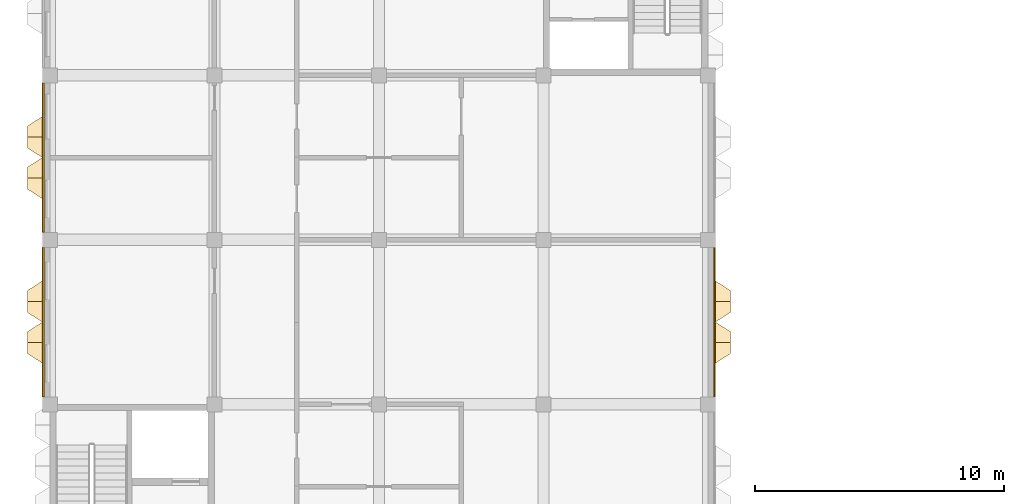
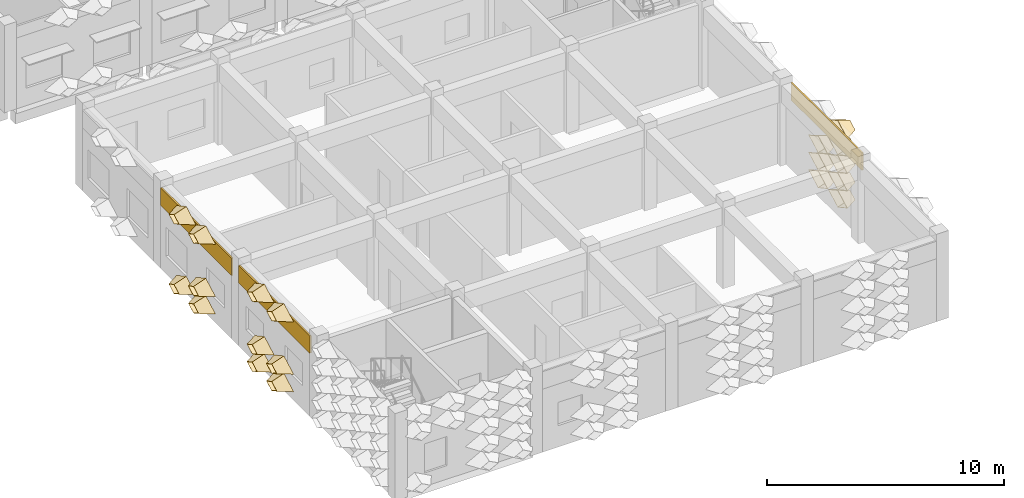
# One storey, part 66 of 87: 22 coverings.
"""IFC4 building model written with IfcOpenShell, lengths in metres."""

from ifc_helpers import new_model, entity, si_unit, direction, frame, frame_2d, origin, place, context, subcontext, project, spatial, rectangle, extrude, material, layer, layer_set, type_object, element, save


model = new_model("IFC4")

# Units and contexts
model_context = context("Model", 3, precision=1e-05, world=origin(), true_north=direction((0.0, 1.0)))
body_context = subcontext(model_context, "Body", "Model", "MODEL_VIEW")
ifc_project = project(units=[si_unit("LENGTHUNIT", "METRE"), si_unit("AREAUNIT", "SQUARE_METRE"), si_unit("VOLUMEUNIT", "CUBIC_METRE"), si_unit("PLANEANGLEUNIT", "RADIAN"), si_unit("MASSUNIT", "GRAM", prefix="KILO")], contexts=[model_context])

# Site, building, storey
site_placement = place(None, origin())
site = spatial("IfcSite", under=ifc_project, at=site_placement, CompositionType="ELEMENT")
building_placement = place(site_placement, origin())
building = spatial("IfcBuilding", under=site, at=building_placement, Name="Lantern Court Research Institute", CompositionType="ELEMENT")
storey_placement = place(building_placement, frame((0.0, 0.0, 5.39990234375)))
storey = spatial("IfcBuildingStorey", under=building, at=storey_placement, Name="L01", CompositionType="ELEMENT", Elevation=5.39990234375)

# Coverings
ifc_material_1 = material(Name="Aluminium composite panel with mineral wool insulation", Category="aluminium")
ifc_layer_1 = layer(ifc_material_1, 0.074951171875)
ifc_layer_set_1 = layer_set([ifc_layer_1], Name="Aluminium composite panel with mineral wool insulation")
covering_type_1 = type_object("IfcCoveringType", Name="Edge fascia panel 75 aluminium faced", PredefinedType="CLADDING", material=ifc_layer_set_1)
for number, where, z_axis, x_axis, name in (
    (1, (26.66259765625, 62.39990234375, 3.25), (0.0, 0.0, 1.0), (0.0, -1.0, 0.0), "Edge fascia V3E L01 02"),
    (2, (-0.262451171875, 56.39990234375, 3.25), (0.0, 0.0, 1.0), (0.0, 1.0, 0.0), "Edge fascia V3W L01 01"),
    (3, (-0.262451171875, 63.0, 3.25), (0.0, 0.0, 1.0), (0.0, 1.0, 0.0), "Edge fascia V3W L01 02"),
):
    element("IfcCovering", number, at=place(storey_placement, frame(where, z_axis=z_axis, x_axis=x_axis)), inside=storey, type_object=covering_type_1, Name=name, PredefinedType="CLADDING", context=body_context, shape_type="SweptSolid", body=[
        extrude(rectangle(XDim=6.0, YDim=0.074951171875, at=frame_2d((3.0, 0.0))), origin(), (0.0, 0.0, 1.0), 0.900146484375),
    ])
ifc_material_2 = material(Name="Anodised aluminium", Category="aluminium")
ifc_layer_2 = layer(ifc_material_2, 0.01611328125)
ifc_layer_set_2 = layer_set([ifc_layer_2], Name="Anodised aluminium")
covering_type_2 = type_object("IfcCoveringType", Name="Fin cassette 1650 x 900 x 600 aluminium", PredefinedType="CLADDING", material=ifc_layer_set_2)
covering_1_placement = place(storey_placement, frame((26.699951171875, 58.574951171875, 0.4501953125), z_axis=(1.0, 0.0, 0.0), x_axis=(0.0, 1.0, 0.0)))
cartesian_point_1 = entity("IfcCartesianPoint", [0.824951171875, 0.0])
cartesian_point_2 = entity("IfcCartesianPoint", [0.79150390625, 0.0])
cartesian_point_3 = entity("IfcCartesianPoint", [0.44189453125, 0.0])
cartesian_point_4 = entity("IfcCartesianPoint", [0.43359375, 0.0])
element("IfcCovering", 4, at=covering_1_placement, inside=storey, type_object=covering_type_2, Name="Fin cassette V3E-L01 1.36", PredefinedType="CLADDING", context=body_context, shape_type="SweptSolid", body=[
    entity("IfcExtrudedAreaSolidTapered", entity("IfcArbitraryProfileDefWithVoids", "AREA", None, entity("IfcPolyline", [cartesian_point_1, entity("IfcCartesianPoint", [0.0, 0.449951171875]), entity("IfcCartesianPoint", [-0.824951171875, 0.0]), entity("IfcCartesianPoint", [0.0, -0.449951171875]), cartesian_point_1]), [entity("IfcPolyline", [cartesian_point_2, entity("IfcCartesianPoint", [0.0, 0.431884765625]), entity("IfcCartesianPoint", [-0.79150390625, 0.0]), entity("IfcCartesianPoint", [0.0, -0.431884765625]), cartesian_point_2])]), entity("IfcAxis2Placement3D", entity("IfcCartesianPoint", [0.0, 0.0, 0.0])), entity("IfcDirection", [0.0, 0.0, 1.0]), 0.60009765625, entity("IfcArbitraryProfileDefWithVoids", "AREA", None, entity("IfcPolyline", [cartesian_point_3, entity("IfcCartesianPoint", [0.0, 0.240966796875]), entity("IfcCartesianPoint", [-0.44189453125, 0.0]), entity("IfcCartesianPoint", [0.0, -0.240966796875]), cartesian_point_3]), [entity("IfcPolyline", [cartesian_point_4, entity("IfcCartesianPoint", [0.0, 0.236572265625]), entity("IfcCartesianPoint", [-0.43359375, 0.0]), entity("IfcCartesianPoint", [0.0, -0.236572265625]), cartesian_point_4])])),
])
covering_2_placement = place(storey_placement, frame((26.699951171875, 60.22509765625, 0.4501953125), z_axis=(1.0, 0.0, 0.0), x_axis=(0.0, 1.0, 0.0)))
cartesian_point_5 = entity("IfcCartesianPoint", [0.824951171875, 0.0])
cartesian_point_6 = entity("IfcCartesianPoint", [0.79150390625, 0.0])
cartesian_point_7 = entity("IfcCartesianPoint", [0.44189453125, 0.0])
cartesian_point_8 = entity("IfcCartesianPoint", [0.43359375, 0.0])
element("IfcCovering", 5, at=covering_2_placement, inside=storey, type_object=covering_type_2, Name="Fin cassette V3E-L01 1.37", PredefinedType="CLADDING", context=body_context, shape_type="SweptSolid", body=[
    entity("IfcExtrudedAreaSolidTapered", entity("IfcArbitraryProfileDefWithVoids", "AREA", None, entity("IfcPolyline", [cartesian_point_5, entity("IfcCartesianPoint", [0.0, 0.449951171875]), entity("IfcCartesianPoint", [-0.824951171875, 0.0]), entity("IfcCartesianPoint", [0.0, -0.449951171875]), cartesian_point_5]), [entity("IfcPolyline", [cartesian_point_6, entity("IfcCartesianPoint", [0.0, 0.431884765625]), entity("IfcCartesianPoint", [-0.79150390625, 0.0]), entity("IfcCartesianPoint", [0.0, -0.431884765625]), cartesian_point_6])]), entity("IfcAxis2Placement3D", entity("IfcCartesianPoint", [0.0, 0.0, 0.0])), entity("IfcDirection", [0.0, 0.0, 1.0]), 0.60009765625, entity("IfcArbitraryProfileDefWithVoids", "AREA", None, entity("IfcPolyline", [cartesian_point_7, entity("IfcCartesianPoint", [0.0, 0.240966796875]), entity("IfcCartesianPoint", [-0.44189453125, 0.0]), entity("IfcCartesianPoint", [0.0, -0.240966796875]), cartesian_point_7]), [entity("IfcPolyline", [cartesian_point_8, entity("IfcCartesianPoint", [0.0, 0.236572265625]), entity("IfcCartesianPoint", [-0.43359375, 0.0]), entity("IfcCartesianPoint", [0.0, -0.236572265625]), cartesian_point_8])])),
])
covering_3_placement = place(storey_placement, frame((26.699951171875, 58.574951171875, 1.35009765625), z_axis=(1.0, 0.0, 0.0), x_axis=(0.0, 1.0, 0.0)))
cartesian_point_9 = entity("IfcCartesianPoint", [0.824951171875, 0.0])
cartesian_point_10 = entity("IfcCartesianPoint", [0.79150390625, 0.0])
cartesian_point_11 = entity("IfcCartesianPoint", [0.44189453125, 0.0])
cartesian_point_12 = entity("IfcCartesianPoint", [0.43359375, 0.0])
element("IfcCovering", 6, at=covering_3_placement, inside=storey, type_object=covering_type_2, Name="Fin cassette V3E-L01 2.36", PredefinedType="CLADDING", context=body_context, shape_type="SweptSolid", body=[
    entity("IfcExtrudedAreaSolidTapered", entity("IfcArbitraryProfileDefWithVoids", "AREA", None, entity("IfcPolyline", [cartesian_point_9, entity("IfcCartesianPoint", [0.0, 0.449951171875]), entity("IfcCartesianPoint", [-0.824951171875, 0.0]), entity("IfcCartesianPoint", [0.0, -0.449951171875]), cartesian_point_9]), [entity("IfcPolyline", [cartesian_point_10, entity("IfcCartesianPoint", [0.0, 0.431884765625]), entity("IfcCartesianPoint", [-0.79150390625, 0.0]), entity("IfcCartesianPoint", [0.0, -0.431884765625]), cartesian_point_10])]), entity("IfcAxis2Placement3D", entity("IfcCartesianPoint", [0.0, 0.0, 0.0])), entity("IfcDirection", [0.0, 0.0, 1.0]), 0.60009765625, entity("IfcArbitraryProfileDefWithVoids", "AREA", None, entity("IfcPolyline", [cartesian_point_11, entity("IfcCartesianPoint", [0.0, 0.240966796875]), entity("IfcCartesianPoint", [-0.44189453125, 0.0]), entity("IfcCartesianPoint", [0.0, -0.240966796875]), cartesian_point_11]), [entity("IfcPolyline", [cartesian_point_12, entity("IfcCartesianPoint", [0.0, 0.236572265625]), entity("IfcCartesianPoint", [-0.43359375, 0.0]), entity("IfcCartesianPoint", [0.0, -0.236572265625]), cartesian_point_12])])),
])
covering_4_placement = place(storey_placement, frame((26.699951171875, 60.22509765625, 1.35009765625), z_axis=(1.0, 0.0, 0.0), x_axis=(0.0, 1.0, 0.0)))
cartesian_point_13 = entity("IfcCartesianPoint", [0.824951171875, 0.0])
cartesian_point_14 = entity("IfcCartesianPoint", [0.79150390625, 0.0])
cartesian_point_15 = entity("IfcCartesianPoint", [0.44189453125, 0.0])
cartesian_point_16 = entity("IfcCartesianPoint", [0.43359375, 0.0])
element("IfcCovering", 7, at=covering_4_placement, inside=storey, type_object=covering_type_2, Name="Fin cassette V3E-L01 2.37", PredefinedType="CLADDING", context=body_context, shape_type="SweptSolid", body=[
    entity("IfcExtrudedAreaSolidTapered", entity("IfcArbitraryProfileDefWithVoids", "AREA", None, entity("IfcPolyline", [cartesian_point_13, entity("IfcCartesianPoint", [0.0, 0.449951171875]), entity("IfcCartesianPoint", [-0.824951171875, 0.0]), entity("IfcCartesianPoint", [0.0, -0.449951171875]), cartesian_point_13]), [entity("IfcPolyline", [cartesian_point_14, entity("IfcCartesianPoint", [0.0, 0.431884765625]), entity("IfcCartesianPoint", [-0.79150390625, 0.0]), entity("IfcCartesianPoint", [0.0, -0.431884765625]), cartesian_point_14])]), entity("IfcAxis2Placement3D", entity("IfcCartesianPoint", [0.0, 0.0, 0.0])), entity("IfcDirection", [0.0, 0.0, 1.0]), 0.60009765625, entity("IfcArbitraryProfileDefWithVoids", "AREA", None, entity("IfcPolyline", [cartesian_point_15, entity("IfcCartesianPoint", [0.0, 0.240966796875]), entity("IfcCartesianPoint", [-0.44189453125, 0.0]), entity("IfcCartesianPoint", [0.0, -0.240966796875]), cartesian_point_15]), [entity("IfcPolyline", [cartesian_point_16, entity("IfcCartesianPoint", [0.0, 0.236572265625]), entity("IfcCartesianPoint", [-0.43359375, 0.0]), entity("IfcCartesianPoint", [0.0, -0.236572265625]), cartesian_point_16])])),
])
covering_5_placement = place(storey_placement, frame((26.699951171875, 58.574951171875, 2.25), z_axis=(1.0, 0.0, 0.0), x_axis=(0.0, 1.0, 0.0)))
cartesian_point_17 = entity("IfcCartesianPoint", [0.824951171875, 0.0])
cartesian_point_18 = entity("IfcCartesianPoint", [0.79150390625, 0.0])
cartesian_point_19 = entity("IfcCartesianPoint", [0.44189453125, 0.0])
cartesian_point_20 = entity("IfcCartesianPoint", [0.43359375, 0.0])
element("IfcCovering", 8, at=covering_5_placement, inside=storey, type_object=covering_type_2, Name="Fin cassette V3E-L01 3.36", PredefinedType="CLADDING", context=body_context, shape_type="SweptSolid", body=[
    entity("IfcExtrudedAreaSolidTapered", entity("IfcArbitraryProfileDefWithVoids", "AREA", None, entity("IfcPolyline", [cartesian_point_17, entity("IfcCartesianPoint", [0.0, 0.449951171875]), entity("IfcCartesianPoint", [-0.824951171875, 0.0]), entity("IfcCartesianPoint", [0.0, -0.449951171875]), cartesian_point_17]), [entity("IfcPolyline", [cartesian_point_18, entity("IfcCartesianPoint", [0.0, 0.431884765625]), entity("IfcCartesianPoint", [-0.79150390625, 0.0]), entity("IfcCartesianPoint", [0.0, -0.431884765625]), cartesian_point_18])]), entity("IfcAxis2Placement3D", entity("IfcCartesianPoint", [0.0, 0.0, 0.0])), entity("IfcDirection", [0.0, 0.0, 1.0]), 0.60009765625, entity("IfcArbitraryProfileDefWithVoids", "AREA", None, entity("IfcPolyline", [cartesian_point_19, entity("IfcCartesianPoint", [0.0, 0.240966796875]), entity("IfcCartesianPoint", [-0.44189453125, 0.0]), entity("IfcCartesianPoint", [0.0, -0.240966796875]), cartesian_point_19]), [entity("IfcPolyline", [cartesian_point_20, entity("IfcCartesianPoint", [0.0, 0.236572265625]), entity("IfcCartesianPoint", [-0.43359375, 0.0]), entity("IfcCartesianPoint", [0.0, -0.236572265625]), cartesian_point_20])])),
])
covering_6_placement = place(storey_placement, frame((26.699951171875, 60.22509765625, 2.25), z_axis=(1.0, 0.0, 0.0), x_axis=(0.0, 1.0, 0.0)))
cartesian_point_21 = entity("IfcCartesianPoint", [0.824951171875, 0.0])
cartesian_point_22 = entity("IfcCartesianPoint", [0.79150390625, 0.0])
cartesian_point_23 = entity("IfcCartesianPoint", [0.44189453125, 0.0])
cartesian_point_24 = entity("IfcCartesianPoint", [0.43359375, 0.0])
element("IfcCovering", 9, at=covering_6_placement, inside=storey, type_object=covering_type_2, Name="Fin cassette V3E-L01 3.37", PredefinedType="CLADDING", context=body_context, shape_type="SweptSolid", body=[
    entity("IfcExtrudedAreaSolidTapered", entity("IfcArbitraryProfileDefWithVoids", "AREA", None, entity("IfcPolyline", [cartesian_point_21, entity("IfcCartesianPoint", [0.0, 0.449951171875]), entity("IfcCartesianPoint", [-0.824951171875, 0.0]), entity("IfcCartesianPoint", [0.0, -0.449951171875]), cartesian_point_21]), [entity("IfcPolyline", [cartesian_point_22, entity("IfcCartesianPoint", [0.0, 0.431884765625]), entity("IfcCartesianPoint", [-0.79150390625, 0.0]), entity("IfcCartesianPoint", [0.0, -0.431884765625]), cartesian_point_22])]), entity("IfcAxis2Placement3D", entity("IfcCartesianPoint", [0.0, 0.0, 0.0])), entity("IfcDirection", [0.0, 0.0, 1.0]), 0.60009765625, entity("IfcArbitraryProfileDefWithVoids", "AREA", None, entity("IfcPolyline", [cartesian_point_23, entity("IfcCartesianPoint", [0.0, 0.240966796875]), entity("IfcCartesianPoint", [-0.44189453125, 0.0]), entity("IfcCartesianPoint", [0.0, -0.240966796875]), cartesian_point_23]), [entity("IfcPolyline", [cartesian_point_24, entity("IfcCartesianPoint", [0.0, 0.236572265625]), entity("IfcCartesianPoint", [-0.43359375, 0.0]), entity("IfcCartesianPoint", [0.0, -0.236572265625]), cartesian_point_24])])),
])
covering_7_placement = place(storey_placement, frame((26.699951171875, 58.574951171875, 3.150146484375), z_axis=(1.0, 0.0, 0.0), x_axis=(0.0, 1.0, 0.0)))
cartesian_point_25 = entity("IfcCartesianPoint", [0.824951171875, 0.0])
cartesian_point_26 = entity("IfcCartesianPoint", [0.79150390625, 0.0])
cartesian_point_27 = entity("IfcCartesianPoint", [0.44189453125, 0.0])
cartesian_point_28 = entity("IfcCartesianPoint", [0.43359375, 0.0])
element("IfcCovering", 10, at=covering_7_placement, inside=storey, type_object=covering_type_2, Name="Fin cassette V3E-L01 4.36", PredefinedType="CLADDING", context=body_context, shape_type="SweptSolid", body=[
    entity("IfcExtrudedAreaSolidTapered", entity("IfcArbitraryProfileDefWithVoids", "AREA", None, entity("IfcPolyline", [cartesian_point_25, entity("IfcCartesianPoint", [0.0, 0.449951171875]), entity("IfcCartesianPoint", [-0.824951171875, 0.0]), entity("IfcCartesianPoint", [0.0, -0.449951171875]), cartesian_point_25]), [entity("IfcPolyline", [cartesian_point_26, entity("IfcCartesianPoint", [0.0, 0.431884765625]), entity("IfcCartesianPoint", [-0.79150390625, 0.0]), entity("IfcCartesianPoint", [0.0, -0.431884765625]), cartesian_point_26])]), entity("IfcAxis2Placement3D", entity("IfcCartesianPoint", [0.0, 0.0, 0.0])), entity("IfcDirection", [0.0, 0.0, 1.0]), 0.60009765625, entity("IfcArbitraryProfileDefWithVoids", "AREA", None, entity("IfcPolyline", [cartesian_point_27, entity("IfcCartesianPoint", [0.0, 0.240966796875]), entity("IfcCartesianPoint", [-0.44189453125, 0.0]), entity("IfcCartesianPoint", [0.0, -0.240966796875]), cartesian_point_27]), [entity("IfcPolyline", [cartesian_point_28, entity("IfcCartesianPoint", [0.0, 0.236572265625]), entity("IfcCartesianPoint", [-0.43359375, 0.0]), entity("IfcCartesianPoint", [0.0, -0.236572265625]), cartesian_point_28])])),
])
covering_8_placement = place(storey_placement, frame((26.699951171875, 58.574951171875, 4.050048828125), z_axis=(1.0, 0.0, 0.0), x_axis=(0.0, 1.0, 0.0)))
cartesian_point_29 = entity("IfcCartesianPoint", [0.824951171875, 0.0])
cartesian_point_30 = entity("IfcCartesianPoint", [0.79150390625, 0.0])
cartesian_point_31 = entity("IfcCartesianPoint", [0.44189453125, 0.0])
cartesian_point_32 = entity("IfcCartesianPoint", [0.43359375, 0.0])
element("IfcCovering", 11, at=covering_8_placement, inside=storey, type_object=covering_type_2, Name="Fin cassette V3E-L01 5.36", PredefinedType="CLADDING", context=body_context, shape_type="SweptSolid", body=[
    entity("IfcExtrudedAreaSolidTapered", entity("IfcArbitraryProfileDefWithVoids", "AREA", None, entity("IfcPolyline", [cartesian_point_29, entity("IfcCartesianPoint", [0.0, 0.449951171875]), entity("IfcCartesianPoint", [-0.824951171875, 0.0]), entity("IfcCartesianPoint", [0.0, -0.449951171875]), cartesian_point_29]), [entity("IfcPolyline", [cartesian_point_30, entity("IfcCartesianPoint", [0.0, 0.431884765625]), entity("IfcCartesianPoint", [-0.79150390625, 0.0]), entity("IfcCartesianPoint", [0.0, -0.431884765625]), cartesian_point_30])]), entity("IfcAxis2Placement3D", entity("IfcCartesianPoint", [0.0, 0.0, 0.0])), entity("IfcDirection", [0.0, 0.0, 1.0]), 0.60009765625, entity("IfcArbitraryProfileDefWithVoids", "AREA", None, entity("IfcPolyline", [cartesian_point_31, entity("IfcCartesianPoint", [0.0, 0.240966796875]), entity("IfcCartesianPoint", [-0.44189453125, 0.0]), entity("IfcCartesianPoint", [0.0, -0.240966796875]), cartesian_point_31]), [entity("IfcPolyline", [cartesian_point_32, entity("IfcCartesianPoint", [0.0, 0.236572265625]), entity("IfcCartesianPoint", [-0.43359375, 0.0]), entity("IfcCartesianPoint", [0.0, -0.236572265625]), cartesian_point_32])])),
])
covering_9_placement = place(storey_placement, frame((-0.300048828125, 58.574951171875, 0.4501953125), z_axis=(-1.0, 0.0, 0.0), x_axis=(0.0, -1.0, 0.0)))
cartesian_point_33 = entity("IfcCartesianPoint", [0.824951171875, 0.0])
cartesian_point_34 = entity("IfcCartesianPoint", [0.79150390625, 0.0])
cartesian_point_35 = entity("IfcCartesianPoint", [0.44189453125, 0.0])
cartesian_point_36 = entity("IfcCartesianPoint", [0.43359375, 0.0])
element("IfcCovering", 12, at=covering_9_placement, inside=storey, type_object=covering_type_2, Name="Fin cassette V3W-L01 1.36", PredefinedType="CLADDING", context=body_context, shape_type="SweptSolid", body=[
    entity("IfcExtrudedAreaSolidTapered", entity("IfcArbitraryProfileDefWithVoids", "AREA", None, entity("IfcPolyline", [cartesian_point_33, entity("IfcCartesianPoint", [0.0, 0.449951171875]), entity("IfcCartesianPoint", [-0.824951171875, 0.0]), entity("IfcCartesianPoint", [0.0, -0.449951171875]), cartesian_point_33]), [entity("IfcPolyline", [cartesian_point_34, entity("IfcCartesianPoint", [0.0, 0.431884765625]), entity("IfcCartesianPoint", [-0.79150390625, 0.0]), entity("IfcCartesianPoint", [0.0, -0.431884765625]), cartesian_point_34])]), entity("IfcAxis2Placement3D", entity("IfcCartesianPoint", [0.0, 0.0, 0.0])), entity("IfcDirection", [0.0, 0.0, 1.0]), 0.60009765625, entity("IfcArbitraryProfileDefWithVoids", "AREA", None, entity("IfcPolyline", [cartesian_point_35, entity("IfcCartesianPoint", [0.0, 0.240966796875]), entity("IfcCartesianPoint", [-0.44189453125, 0.0]), entity("IfcCartesianPoint", [0.0, -0.240966796875]), cartesian_point_35]), [entity("IfcPolyline", [cartesian_point_36, entity("IfcCartesianPoint", [0.0, 0.236572265625]), entity("IfcCartesianPoint", [-0.43359375, 0.0]), entity("IfcCartesianPoint", [0.0, -0.236572265625]), cartesian_point_36])])),
])
covering_10_placement = place(storey_placement, frame((-0.300048828125, 60.22509765625, 0.4501953125), z_axis=(-1.0, 0.0, 0.0), x_axis=(0.0, -1.0, 0.0)))
cartesian_point_37 = entity("IfcCartesianPoint", [0.824951171875, 0.0])
cartesian_point_38 = entity("IfcCartesianPoint", [0.79150390625, 0.0])
cartesian_point_39 = entity("IfcCartesianPoint", [0.44189453125, 0.0])
cartesian_point_40 = entity("IfcCartesianPoint", [0.43359375, 0.0])
element("IfcCovering", 13, at=covering_10_placement, inside=storey, type_object=covering_type_2, Name="Fin cassette V3W-L01 1.37", PredefinedType="CLADDING", context=body_context, shape_type="SweptSolid", body=[
    entity("IfcExtrudedAreaSolidTapered", entity("IfcArbitraryProfileDefWithVoids", "AREA", None, entity("IfcPolyline", [cartesian_point_37, entity("IfcCartesianPoint", [0.0, 0.449951171875]), entity("IfcCartesianPoint", [-0.824951171875, 0.0]), entity("IfcCartesianPoint", [0.0, -0.449951171875]), cartesian_point_37]), [entity("IfcPolyline", [cartesian_point_38, entity("IfcCartesianPoint", [0.0, 0.431884765625]), entity("IfcCartesianPoint", [-0.79150390625, 0.0]), entity("IfcCartesianPoint", [0.0, -0.431884765625]), cartesian_point_38])]), entity("IfcAxis2Placement3D", entity("IfcCartesianPoint", [0.0, 0.0, 0.0])), entity("IfcDirection", [0.0, 0.0, 1.0]), 0.60009765625, entity("IfcArbitraryProfileDefWithVoids", "AREA", None, entity("IfcPolyline", [cartesian_point_39, entity("IfcCartesianPoint", [0.0, 0.240966796875]), entity("IfcCartesianPoint", [-0.44189453125, 0.0]), entity("IfcCartesianPoint", [0.0, -0.240966796875]), cartesian_point_39]), [entity("IfcPolyline", [cartesian_point_40, entity("IfcCartesianPoint", [0.0, 0.236572265625]), entity("IfcCartesianPoint", [-0.43359375, 0.0]), entity("IfcCartesianPoint", [0.0, -0.236572265625]), cartesian_point_40])])),
])
covering_11_placement = place(storey_placement, frame((-0.300048828125, 65.175048828125, 0.4501953125), z_axis=(-1.0, 0.0, 0.0), x_axis=(0.0, -1.0, 0.0)))
cartesian_point_41 = entity("IfcCartesianPoint", [0.824951171875, 0.0])
cartesian_point_42 = entity("IfcCartesianPoint", [0.79150390625, 0.0])
cartesian_point_43 = entity("IfcCartesianPoint", [0.44189453125, 0.0])
cartesian_point_44 = entity("IfcCartesianPoint", [0.43359375, 0.0])
element("IfcCovering", 14, at=covering_11_placement, inside=storey, type_object=covering_type_2, Name="Fin cassette V3W-L01 1.40", PredefinedType="CLADDING", context=body_context, shape_type="SweptSolid", body=[
    entity("IfcExtrudedAreaSolidTapered", entity("IfcArbitraryProfileDefWithVoids", "AREA", None, entity("IfcPolyline", [cartesian_point_41, entity("IfcCartesianPoint", [0.0, 0.449951171875]), entity("IfcCartesianPoint", [-0.824951171875, 0.0]), entity("IfcCartesianPoint", [0.0, -0.449951171875]), cartesian_point_41]), [entity("IfcPolyline", [cartesian_point_42, entity("IfcCartesianPoint", [0.0, 0.431884765625]), entity("IfcCartesianPoint", [-0.79150390625, 0.0]), entity("IfcCartesianPoint", [0.0, -0.431884765625]), cartesian_point_42])]), entity("IfcAxis2Placement3D", entity("IfcCartesianPoint", [0.0, 0.0, 0.0])), entity("IfcDirection", [0.0, 0.0, 1.0]), 0.60009765625, entity("IfcArbitraryProfileDefWithVoids", "AREA", None, entity("IfcPolyline", [cartesian_point_43, entity("IfcCartesianPoint", [0.0, 0.240966796875]), entity("IfcCartesianPoint", [-0.44189453125, 0.0]), entity("IfcCartesianPoint", [0.0, -0.240966796875]), cartesian_point_43]), [entity("IfcPolyline", [cartesian_point_44, entity("IfcCartesianPoint", [0.0, 0.236572265625]), entity("IfcCartesianPoint", [-0.43359375, 0.0]), entity("IfcCartesianPoint", [0.0, -0.236572265625]), cartesian_point_44])])),
])
covering_12_placement = place(storey_placement, frame((-0.300048828125, 66.824951171875, 0.4501953125), z_axis=(-1.0, 0.0, 0.0), x_axis=(0.0, -1.0, 0.0)))
cartesian_point_45 = entity("IfcCartesianPoint", [0.824951171875, 0.0])
cartesian_point_46 = entity("IfcCartesianPoint", [0.79150390625, 0.0])
cartesian_point_47 = entity("IfcCartesianPoint", [0.44189453125, 0.0])
cartesian_point_48 = entity("IfcCartesianPoint", [0.43359375, 0.0])
element("IfcCovering", 15, at=covering_12_placement, inside=storey, type_object=covering_type_2, Name="Fin cassette V3W-L01 1.41", PredefinedType="CLADDING", context=body_context, shape_type="SweptSolid", body=[
    entity("IfcExtrudedAreaSolidTapered", entity("IfcArbitraryProfileDefWithVoids", "AREA", None, entity("IfcPolyline", [cartesian_point_45, entity("IfcCartesianPoint", [0.0, 0.449951171875]), entity("IfcCartesianPoint", [-0.824951171875, 0.0]), entity("IfcCartesianPoint", [0.0, -0.449951171875]), cartesian_point_45]), [entity("IfcPolyline", [cartesian_point_46, entity("IfcCartesianPoint", [0.0, 0.431884765625]), entity("IfcCartesianPoint", [-0.79150390625, 0.0]), entity("IfcCartesianPoint", [0.0, -0.431884765625]), cartesian_point_46])]), entity("IfcAxis2Placement3D", entity("IfcCartesianPoint", [0.0, 0.0, 0.0])), entity("IfcDirection", [0.0, 0.0, 1.0]), 0.60009765625, entity("IfcArbitraryProfileDefWithVoids", "AREA", None, entity("IfcPolyline", [cartesian_point_47, entity("IfcCartesianPoint", [0.0, 0.240966796875]), entity("IfcCartesianPoint", [-0.44189453125, 0.0]), entity("IfcCartesianPoint", [0.0, -0.240966796875]), cartesian_point_47]), [entity("IfcPolyline", [cartesian_point_48, entity("IfcCartesianPoint", [0.0, 0.236572265625]), entity("IfcCartesianPoint", [-0.43359375, 0.0]), entity("IfcCartesianPoint", [0.0, -0.236572265625]), cartesian_point_48])])),
])
covering_13_placement = place(storey_placement, frame((-0.300048828125, 58.574951171875, 1.35009765625), z_axis=(-1.0, 0.0, 0.0), x_axis=(0.0, -1.0, 0.0)))
cartesian_point_49 = entity("IfcCartesianPoint", [0.824951171875, 0.0])
cartesian_point_50 = entity("IfcCartesianPoint", [0.79150390625, 0.0])
cartesian_point_51 = entity("IfcCartesianPoint", [0.44189453125, 0.0])
cartesian_point_52 = entity("IfcCartesianPoint", [0.43359375, 0.0])
element("IfcCovering", 16, at=covering_13_placement, inside=storey, type_object=covering_type_2, Name="Fin cassette V3W-L01 2.36", PredefinedType="CLADDING", context=body_context, shape_type="SweptSolid", body=[
    entity("IfcExtrudedAreaSolidTapered", entity("IfcArbitraryProfileDefWithVoids", "AREA", None, entity("IfcPolyline", [cartesian_point_49, entity("IfcCartesianPoint", [0.0, 0.449951171875]), entity("IfcCartesianPoint", [-0.824951171875, 0.0]), entity("IfcCartesianPoint", [0.0, -0.449951171875]), cartesian_point_49]), [entity("IfcPolyline", [cartesian_point_50, entity("IfcCartesianPoint", [0.0, 0.431884765625]), entity("IfcCartesianPoint", [-0.79150390625, 0.0]), entity("IfcCartesianPoint", [0.0, -0.431884765625]), cartesian_point_50])]), entity("IfcAxis2Placement3D", entity("IfcCartesianPoint", [0.0, 0.0, 0.0])), entity("IfcDirection", [0.0, 0.0, 1.0]), 0.60009765625, entity("IfcArbitraryProfileDefWithVoids", "AREA", None, entity("IfcPolyline", [cartesian_point_51, entity("IfcCartesianPoint", [0.0, 0.240966796875]), entity("IfcCartesianPoint", [-0.44189453125, 0.0]), entity("IfcCartesianPoint", [0.0, -0.240966796875]), cartesian_point_51]), [entity("IfcPolyline", [cartesian_point_52, entity("IfcCartesianPoint", [0.0, 0.236572265625]), entity("IfcCartesianPoint", [-0.43359375, 0.0]), entity("IfcCartesianPoint", [0.0, -0.236572265625]), cartesian_point_52])])),
])
covering_14_placement = place(storey_placement, frame((-0.300048828125, 60.22509765625, 1.35009765625), z_axis=(-1.0, 0.0, 0.0), x_axis=(0.0, -1.0, 0.0)))
cartesian_point_53 = entity("IfcCartesianPoint", [0.824951171875, 0.0])
cartesian_point_54 = entity("IfcCartesianPoint", [0.79150390625, 0.0])
cartesian_point_55 = entity("IfcCartesianPoint", [0.44189453125, 0.0])
cartesian_point_56 = entity("IfcCartesianPoint", [0.43359375, 0.0])
element("IfcCovering", 17, at=covering_14_placement, inside=storey, type_object=covering_type_2, Name="Fin cassette V3W-L01 2.37", PredefinedType="CLADDING", context=body_context, shape_type="SweptSolid", body=[
    entity("IfcExtrudedAreaSolidTapered", entity("IfcArbitraryProfileDefWithVoids", "AREA", None, entity("IfcPolyline", [cartesian_point_53, entity("IfcCartesianPoint", [0.0, 0.449951171875]), entity("IfcCartesianPoint", [-0.824951171875, 0.0]), entity("IfcCartesianPoint", [0.0, -0.449951171875]), cartesian_point_53]), [entity("IfcPolyline", [cartesian_point_54, entity("IfcCartesianPoint", [0.0, 0.431884765625]), entity("IfcCartesianPoint", [-0.79150390625, 0.0]), entity("IfcCartesianPoint", [0.0, -0.431884765625]), cartesian_point_54])]), entity("IfcAxis2Placement3D", entity("IfcCartesianPoint", [0.0, 0.0, 0.0])), entity("IfcDirection", [0.0, 0.0, 1.0]), 0.60009765625, entity("IfcArbitraryProfileDefWithVoids", "AREA", None, entity("IfcPolyline", [cartesian_point_55, entity("IfcCartesianPoint", [0.0, 0.240966796875]), entity("IfcCartesianPoint", [-0.44189453125, 0.0]), entity("IfcCartesianPoint", [0.0, -0.240966796875]), cartesian_point_55]), [entity("IfcPolyline", [cartesian_point_56, entity("IfcCartesianPoint", [0.0, 0.236572265625]), entity("IfcCartesianPoint", [-0.43359375, 0.0]), entity("IfcCartesianPoint", [0.0, -0.236572265625]), cartesian_point_56])])),
])
covering_15_placement = place(storey_placement, frame((-0.300048828125, 65.175048828125, 1.35009765625), z_axis=(-1.0, 0.0, 0.0), x_axis=(0.0, -1.0, 0.0)))
cartesian_point_57 = entity("IfcCartesianPoint", [0.824951171875, 0.0])
cartesian_point_58 = entity("IfcCartesianPoint", [0.79150390625, 0.0])
cartesian_point_59 = entity("IfcCartesianPoint", [0.44189453125, 0.0])
cartesian_point_60 = entity("IfcCartesianPoint", [0.43359375, 0.0])
element("IfcCovering", 18, at=covering_15_placement, inside=storey, type_object=covering_type_2, Name="Fin cassette V3W-L01 2.40", PredefinedType="CLADDING", context=body_context, shape_type="SweptSolid", body=[
    entity("IfcExtrudedAreaSolidTapered", entity("IfcArbitraryProfileDefWithVoids", "AREA", None, entity("IfcPolyline", [cartesian_point_57, entity("IfcCartesianPoint", [0.0, 0.449951171875]), entity("IfcCartesianPoint", [-0.824951171875, 0.0]), entity("IfcCartesianPoint", [0.0, -0.449951171875]), cartesian_point_57]), [entity("IfcPolyline", [cartesian_point_58, entity("IfcCartesianPoint", [0.0, 0.431884765625]), entity("IfcCartesianPoint", [-0.79150390625, 0.0]), entity("IfcCartesianPoint", [0.0, -0.431884765625]), cartesian_point_58])]), entity("IfcAxis2Placement3D", entity("IfcCartesianPoint", [0.0, 0.0, 0.0])), entity("IfcDirection", [0.0, 0.0, 1.0]), 0.60009765625, entity("IfcArbitraryProfileDefWithVoids", "AREA", None, entity("IfcPolyline", [cartesian_point_59, entity("IfcCartesianPoint", [0.0, 0.240966796875]), entity("IfcCartesianPoint", [-0.44189453125, 0.0]), entity("IfcCartesianPoint", [0.0, -0.240966796875]), cartesian_point_59]), [entity("IfcPolyline", [cartesian_point_60, entity("IfcCartesianPoint", [0.0, 0.236572265625]), entity("IfcCartesianPoint", [-0.43359375, 0.0]), entity("IfcCartesianPoint", [0.0, -0.236572265625]), cartesian_point_60])])),
])
covering_16_placement = place(storey_placement, frame((-0.300048828125, 58.574951171875, 4.050048828125), z_axis=(-1.0, 0.0, 0.0), x_axis=(0.0, -1.0, 0.0)))
cartesian_point_61 = entity("IfcCartesianPoint", [0.824951171875, 0.0])
cartesian_point_62 = entity("IfcCartesianPoint", [0.79150390625, 0.0])
cartesian_point_63 = entity("IfcCartesianPoint", [0.44189453125, 0.0])
cartesian_point_64 = entity("IfcCartesianPoint", [0.43359375, 0.0])
element("IfcCovering", 19, at=covering_16_placement, inside=storey, type_object=covering_type_2, Name="Fin cassette V3W-L01 5.36", PredefinedType="CLADDING", context=body_context, shape_type="SweptSolid", body=[
    entity("IfcExtrudedAreaSolidTapered", entity("IfcArbitraryProfileDefWithVoids", "AREA", None, entity("IfcPolyline", [cartesian_point_61, entity("IfcCartesianPoint", [0.0, 0.449951171875]), entity("IfcCartesianPoint", [-0.824951171875, 0.0]), entity("IfcCartesianPoint", [0.0, -0.449951171875]), cartesian_point_61]), [entity("IfcPolyline", [cartesian_point_62, entity("IfcCartesianPoint", [0.0, 0.431884765625]), entity("IfcCartesianPoint", [-0.79150390625, 0.0]), entity("IfcCartesianPoint", [0.0, -0.431884765625]), cartesian_point_62])]), entity("IfcAxis2Placement3D", entity("IfcCartesianPoint", [0.0, 0.0, 0.0])), entity("IfcDirection", [0.0, 0.0, 1.0]), 0.60009765625, entity("IfcArbitraryProfileDefWithVoids", "AREA", None, entity("IfcPolyline", [cartesian_point_63, entity("IfcCartesianPoint", [0.0, 0.240966796875]), entity("IfcCartesianPoint", [-0.44189453125, 0.0]), entity("IfcCartesianPoint", [0.0, -0.240966796875]), cartesian_point_63]), [entity("IfcPolyline", [cartesian_point_64, entity("IfcCartesianPoint", [0.0, 0.236572265625]), entity("IfcCartesianPoint", [-0.43359375, 0.0]), entity("IfcCartesianPoint", [0.0, -0.236572265625]), cartesian_point_64])])),
])
covering_17_placement = place(storey_placement, frame((-0.300048828125, 60.22509765625, 4.050048828125), z_axis=(-1.0, 0.0, 0.0), x_axis=(0.0, -1.0, 0.0)))
cartesian_point_65 = entity("IfcCartesianPoint", [0.824951171875, 0.0])
cartesian_point_66 = entity("IfcCartesianPoint", [0.79150390625, 0.0])
cartesian_point_67 = entity("IfcCartesianPoint", [0.44189453125, 0.0])
cartesian_point_68 = entity("IfcCartesianPoint", [0.43359375, 0.0])
element("IfcCovering", 20, at=covering_17_placement, inside=storey, type_object=covering_type_2, Name="Fin cassette V3W-L01 5.37", PredefinedType="CLADDING", context=body_context, shape_type="SweptSolid", body=[
    entity("IfcExtrudedAreaSolidTapered", entity("IfcArbitraryProfileDefWithVoids", "AREA", None, entity("IfcPolyline", [cartesian_point_65, entity("IfcCartesianPoint", [0.0, 0.449951171875]), entity("IfcCartesianPoint", [-0.824951171875, 0.0]), entity("IfcCartesianPoint", [0.0, -0.449951171875]), cartesian_point_65]), [entity("IfcPolyline", [cartesian_point_66, entity("IfcCartesianPoint", [0.0, 0.431884765625]), entity("IfcCartesianPoint", [-0.79150390625, 0.0]), entity("IfcCartesianPoint", [0.0, -0.431884765625]), cartesian_point_66])]), entity("IfcAxis2Placement3D", entity("IfcCartesianPoint", [0.0, 0.0, 0.0])), entity("IfcDirection", [0.0, 0.0, 1.0]), 0.60009765625, entity("IfcArbitraryProfileDefWithVoids", "AREA", None, entity("IfcPolyline", [cartesian_point_67, entity("IfcCartesianPoint", [0.0, 0.240966796875]), entity("IfcCartesianPoint", [-0.44189453125, 0.0]), entity("IfcCartesianPoint", [0.0, -0.240966796875]), cartesian_point_67]), [entity("IfcPolyline", [cartesian_point_68, entity("IfcCartesianPoint", [0.0, 0.236572265625]), entity("IfcCartesianPoint", [-0.43359375, 0.0]), entity("IfcCartesianPoint", [0.0, -0.236572265625]), cartesian_point_68])])),
])
covering_18_placement = place(storey_placement, frame((-0.300048828125, 65.175048828125, 4.050048828125), z_axis=(-1.0, 0.0, 0.0), x_axis=(0.0, -1.0, 0.0)))
cartesian_point_69 = entity("IfcCartesianPoint", [0.824951171875, 0.0])
cartesian_point_70 = entity("IfcCartesianPoint", [0.79150390625, 0.0])
cartesian_point_71 = entity("IfcCartesianPoint", [0.44189453125, 0.0])
cartesian_point_72 = entity("IfcCartesianPoint", [0.43359375, 0.0])
element("IfcCovering", 21, at=covering_18_placement, inside=storey, type_object=covering_type_2, Name="Fin cassette V3W-L01 5.40", PredefinedType="CLADDING", context=body_context, shape_type="SweptSolid", body=[
    entity("IfcExtrudedAreaSolidTapered", entity("IfcArbitraryProfileDefWithVoids", "AREA", None, entity("IfcPolyline", [cartesian_point_69, entity("IfcCartesianPoint", [0.0, 0.449951171875]), entity("IfcCartesianPoint", [-0.824951171875, 0.0]), entity("IfcCartesianPoint", [0.0, -0.449951171875]), cartesian_point_69]), [entity("IfcPolyline", [cartesian_point_70, entity("IfcCartesianPoint", [0.0, 0.431884765625]), entity("IfcCartesianPoint", [-0.79150390625, 0.0]), entity("IfcCartesianPoint", [0.0, -0.431884765625]), cartesian_point_70])]), entity("IfcAxis2Placement3D", entity("IfcCartesianPoint", [0.0, 0.0, 0.0])), entity("IfcDirection", [0.0, 0.0, 1.0]), 0.60009765625, entity("IfcArbitraryProfileDefWithVoids", "AREA", None, entity("IfcPolyline", [cartesian_point_71, entity("IfcCartesianPoint", [0.0, 0.240966796875]), entity("IfcCartesianPoint", [-0.44189453125, 0.0]), entity("IfcCartesianPoint", [0.0, -0.240966796875]), cartesian_point_71]), [entity("IfcPolyline", [cartesian_point_72, entity("IfcCartesianPoint", [0.0, 0.236572265625]), entity("IfcCartesianPoint", [-0.43359375, 0.0]), entity("IfcCartesianPoint", [0.0, -0.236572265625]), cartesian_point_72])])),
])
covering_19_placement = place(storey_placement, frame((-0.300048828125, 66.824951171875, 4.050048828125), z_axis=(-1.0, 0.0, 0.0), x_axis=(0.0, -1.0, 0.0)))
cartesian_point_73 = entity("IfcCartesianPoint", [0.824951171875, 0.0])
cartesian_point_74 = entity("IfcCartesianPoint", [0.79150390625, 0.0])
cartesian_point_75 = entity("IfcCartesianPoint", [0.44189453125, 0.0])
cartesian_point_76 = entity("IfcCartesianPoint", [0.43359375, 0.0])
element("IfcCovering", 22, at=covering_19_placement, inside=storey, type_object=covering_type_2, Name="Fin cassette V3W-L01 5.41", PredefinedType="CLADDING", context=body_context, shape_type="SweptSolid", body=[
    entity("IfcExtrudedAreaSolidTapered", entity("IfcArbitraryProfileDefWithVoids", "AREA", None, entity("IfcPolyline", [cartesian_point_73, entity("IfcCartesianPoint", [0.0, 0.449951171875]), entity("IfcCartesianPoint", [-0.824951171875, 0.0]), entity("IfcCartesianPoint", [0.0, -0.449951171875]), cartesian_point_73]), [entity("IfcPolyline", [cartesian_point_74, entity("IfcCartesianPoint", [0.0, 0.431884765625]), entity("IfcCartesianPoint", [-0.79150390625, 0.0]), entity("IfcCartesianPoint", [0.0, -0.431884765625]), cartesian_point_74])]), entity("IfcAxis2Placement3D", entity("IfcCartesianPoint", [0.0, 0.0, 0.0])), entity("IfcDirection", [0.0, 0.0, 1.0]), 0.60009765625, entity("IfcArbitraryProfileDefWithVoids", "AREA", None, entity("IfcPolyline", [cartesian_point_75, entity("IfcCartesianPoint", [0.0, 0.240966796875]), entity("IfcCartesianPoint", [-0.44189453125, 0.0]), entity("IfcCartesianPoint", [0.0, -0.240966796875]), cartesian_point_75]), [entity("IfcPolyline", [cartesian_point_76, entity("IfcCartesianPoint", [0.0, 0.236572265625]), entity("IfcCartesianPoint", [-0.43359375, 0.0]), entity("IfcCartesianPoint", [0.0, -0.236572265625]), cartesian_point_76])])),
])

save(model, "model.ifc")
